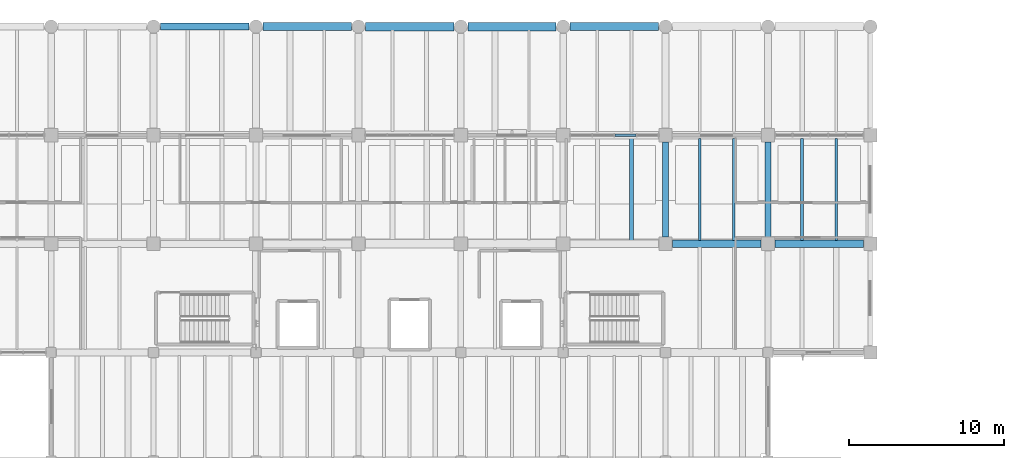
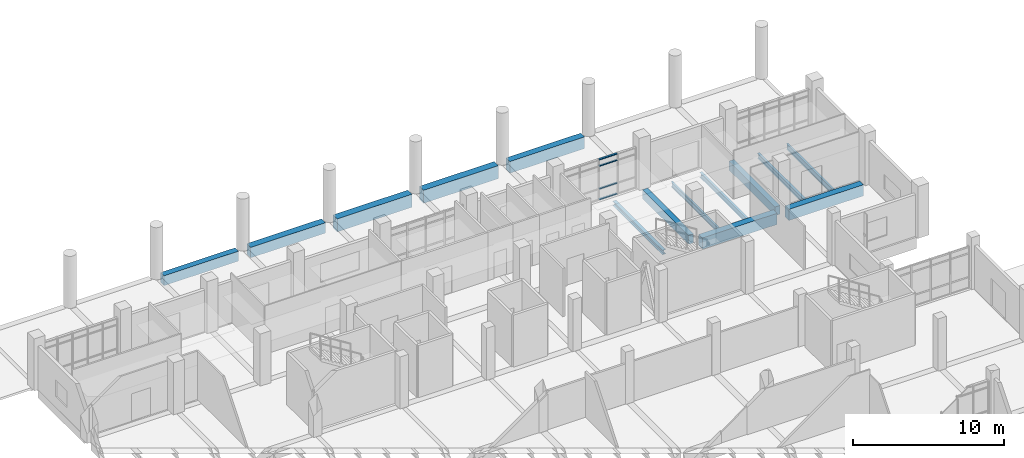
# One storey, part 30 of 69: 14 beams, 4 members, 1 element without a shape of its own.
"""IFC4 building model written with IfcOpenShell, lengths in metres."""

from ifc_helpers import new_model, si_unit, direction, frame, origin, origin_2d, place, context, subcontext, project, spatial, rectangle, i_section, extrude, material, material_profile, profile_set, type_object, element, aggregate, save


model = new_model("IFC4")

# Units and contexts
model_context = context("Model", 3, precision=1e-05, world=origin(), true_north=direction((0.0, 1.0)))
body_context = subcontext(model_context, "Body", "Model", "MODEL_VIEW")
ifc_project = project(units=[si_unit("LENGTHUNIT", "METRE"), si_unit("AREAUNIT", "SQUARE_METRE"), si_unit("VOLUMEUNIT", "CUBIC_METRE"), si_unit("PLANEANGLEUNIT", "RADIAN"), si_unit("MASSUNIT", "GRAM", prefix="KILO")], contexts=[model_context])

# Site, building, storey
site_placement = place(None, origin())
site = spatial("IfcSite", under=ifc_project, at=site_placement, CompositionType="ELEMENT")
building_placement = place(site_placement, origin())
building = spatial("IfcBuilding", under=site, at=building_placement, Name="Ciguamira Faculty of Natural Sciences", CompositionType="ELEMENT")
storey_placement = place(building_placement, origin())
storey = spatial("IfcBuildingStorey", under=building, at=storey_placement, Name="L00", CompositionType="ELEMENT", Elevation=0.0)

# Curtain wall, members
ifc_material_1 = material(Name="Anodized aluminium curtain wall", Category="aluminium")
curtain_wall_type = type_object("IfcCurtainWallType", Name="CurtainWall_CW-08", PredefinedType="USERDEFINED", material=ifc_material_1)
curtain_wall_placement = place(storey_placement, origin())
curtain_wall = element("IfcCurtainWall", 1, at=curtain_wall_placement, inside=storey, type_object=curtain_wall_type, Name="L00 unitised curtain wall 0020", ObjectType="UNITISED CURTAIN WALL", PredefinedType="USERDEFINED")
ifc_material_2 = material(Name="Anodized aluminium transom", Category="aluminium")
ifc_material_profile_1 = material_profile(ifc_material_2, rectangle(XDim=0.070068359375, YDim=0.139892578125, at=origin_2d()), Name="ALU-TRN-70X140")
ifc_profile_set_1 = profile_set([ifc_material_profile_1], Name="Anodized aluminium transom")
member_type = type_object("IfcMemberType", Name="CWTransom_CWT-02", PredefinedType="USERDEFINED", material=ifc_profile_set_1)
member_1_placement = place(storey_placement, frame((100.235107421875, 108.0, 0.034912109375), z_axis=(1.0, 0.0, 0.0), x_axis=(0.0, 0.0, 1.0)))
member_1 = element("IfcMember", 2, at=member_1_placement, type_object=member_type, Name="CW-08 transom 3.1", ObjectType="TRANSOM", PredefinedType="USERDEFINED", context=body_context, shape_type="SweptSolid", body=[
    extrude(rectangle(XDim=0.070068359375, YDim=0.139892578125, at=origin_2d()), origin(), (0.0, 0.0, 1.0), 1.367431640625),
])
member_2_placement = place(storey_placement, frame((100.235107421875, 108.0, 0.89990234375), z_axis=(1.0, 0.0, 0.0), x_axis=(0.0, 0.0, 1.0)))
member_2 = element("IfcMember", 3, at=member_2_placement, type_object=member_type, Name="CW-08 transom 3.2", ObjectType="TRANSOM", PredefinedType="USERDEFINED", context=body_context, shape_type="SweptSolid", body=[
    extrude(rectangle(XDim=0.070068359375, YDim=0.139892578125, at=origin_2d()), origin(), (0.0, 0.0, 1.0), 1.367431640625),
])
member_3_placement = place(storey_placement, frame((100.235107421875, 108.0, 2.735107421875), z_axis=(1.0, 0.0, 0.0), x_axis=(0.0, 0.0, 1.0)))
member_3 = element("IfcMember", 4, at=member_3_placement, type_object=member_type, Name="CW-08 transom 3.3", ObjectType="TRANSOM", PredefinedType="USERDEFINED", context=body_context, shape_type="SweptSolid", body=[
    extrude(rectangle(XDim=0.070068359375, YDim=0.139892578125, at=origin_2d()), origin(), (0.0, 0.0, 1.0), 1.367431640625),
])
member_4_placement = place(storey_placement, frame((100.235107421875, 108.0, 3.25), z_axis=(1.0, 0.0, 0.0), x_axis=(0.0, 0.0, 1.0)))
member_4 = element("IfcMember", 5, at=member_4_placement, type_object=member_type, Name="CW-08 transom 3.4", ObjectType="TRANSOM", PredefinedType="USERDEFINED", context=body_context, shape_type="SweptSolid", body=[
    extrude(rectangle(XDim=0.070068359375, YDim=0.139892578125, at=origin_2d()), origin(), (0.0, 0.0, 1.0), 1.367431640625),
])
aggregate(curtain_wall, [member_1, member_2, member_3, member_4])

# Beams
ifc_material_3 = material(Name="Concrete C40/50", Category="concrete")
ifc_material_profile_2 = material_profile(ifc_material_3, rectangle(XDim=0.550048828125, YDim=1.050048828125, at=origin_2d()), Name="RC-BM-550X1050")
ifc_profile_set_2 = profile_set([ifc_material_profile_2], Name="Concrete C40/50")
beam_type_1 = type_object("IfcBeamType", Name="RCBeam_BG-01_RC-BM-550X1050", PredefinedType="BEAM", material=ifc_profile_set_2)
beam_1_placement = place(storey_placement, frame((84.14990234375, 115.0, -0.52490234375), z_axis=(1.0, 0.0, 0.0), x_axis=(0.0, 1.0, 0.0)))
element("IfcBeam", 6, at=beam_1_placement, inside=storey, type_object=beam_type_1, Name="L00 RC girder EW-0187", PredefinedType="BEAM", context=body_context, shape_type="SweptSolid", body=[
    extrude(rectangle(XDim=0.550048828125, YDim=1.050048828125, at=origin_2d()), origin(), (0.0, 0.0, 1.0), 5.7001953125),
])
beam_2_placement = place(storey_placement, frame((90.75, 115.0, -0.52490234375), z_axis=(1.0, 0.0, 0.0), x_axis=(0.0, 1.0, 0.0)))
element("IfcBeam", 7, at=beam_2_placement, inside=storey, type_object=beam_type_1, Name="L00 RC girder EW-0188", PredefinedType="BEAM", context=body_context, shape_type="SweptSolid", body=[
    extrude(rectangle(XDim=0.550048828125, YDim=1.050048828125, at=origin_2d()), origin(), (0.0, 0.0, 1.0), 5.699951171875),
])
ifc_material_profile_3 = material_profile(ifc_material_3, rectangle(XDim=0.5, YDim=0.949951171875, at=origin_2d()), Name="RC-BM-500X950")
ifc_profile_set_3 = profile_set([ifc_material_profile_3], Name="Concrete C40/50")
beam_type_2 = type_object("IfcBeamType", Name="RCBeam_BG-02_RC-BM-500X950", PredefinedType="BEAM", material=ifc_profile_set_3)
beam_3_placement = place(storey_placement, frame((97.35009765625, 115.0, -0.47509765625), z_axis=(1.0, 0.0, 0.0), x_axis=(0.0, 1.0, 0.0)))
element("IfcBeam", 8, at=beam_3_placement, inside=storey, type_object=beam_type_2, Name="L00 RC girder EW-0189", PredefinedType="BEAM", context=body_context, shape_type="SweptSolid", body=[
    extrude(rectangle(XDim=0.5, YDim=0.949951171875, at=origin_2d()), origin(), (0.0, 0.0, 1.0), 5.699951171875),
])
ifc_material_profile_4 = material_profile(ifc_material_3, rectangle(XDim=0.5, YDim=0.89990234375, at=origin_2d()), Name="RC-BM-500X900")
ifc_profile_set_4 = profile_set([ifc_material_profile_4], Name="Concrete C40/50")
beam_type_3 = type_object("IfcBeamType", Name="RCBeam_BG-03_RC-BM-500X900", PredefinedType="BEAM", material=ifc_profile_set_4)
for number, where, z_axis, x_axis, name in (
    (9, (103.949951171875, 101.0, -0.449951171875), (1.0, 0.0, 0.0), (0.0, 1.0, 0.0), "L00 RC girder EW-0172"),
    (10, (110.550048828125, 101.0, -0.449951171875), (1.0, 0.0, 0.0), (0.0, 1.0, 0.0), "L00 RC girder EW-0173"),
):
    element("IfcBeam", number, at=place(storey_placement, frame(where, z_axis=z_axis, x_axis=x_axis)), inside=storey, type_object=beam_type_3, Name=name, PredefinedType="BEAM", context=body_context, shape_type="SweptSolid", body=[
        extrude(rectangle(XDim=0.5, YDim=0.89990234375, at=origin_2d()), origin(), (0.0, 0.0, 1.0), 5.699951171875),
    ])
ifc_material_profile_5 = material_profile(ifc_material_3, rectangle(XDim=0.449951171875, YDim=0.800048828125, at=origin_2d()), Name="RC-BM-450X800")
ifc_profile_set_5 = profile_set([ifc_material_profile_5], Name="Concrete C40/50")
beam_type_4 = type_object("IfcBeamType", Name="RCBeam_BG-05_RC-BM-450X800", PredefinedType="BEAM", material=ifc_profile_set_5)
beam_4_placement = place(storey_placement, frame((70.949951171875, 115.0, -0.39990234375), z_axis=(1.0, 0.0, 0.0), x_axis=(0.0, 1.0, 0.0)))
element("IfcBeam", 11, at=beam_4_placement, inside=storey, type_object=beam_type_4, Name="L00 RC girder EW-0185", PredefinedType="BEAM", context=body_context, shape_type="SweptSolid", body=[
    extrude(rectangle(XDim=0.449951171875, YDim=0.800048828125, at=origin_2d()), origin(), (0.0, 0.0, 1.0), 5.699951171875),
])
ifc_material_profile_6 = material_profile(ifc_material_3, rectangle(XDim=0.39990234375, YDim=0.699951171875, at=origin_2d()), Name="RC-BM-400X700")
ifc_profile_set_6 = profile_set([ifc_material_profile_6], Name="Concrete C40/50")
beam_type_5 = type_object("IfcBeamType", Name="RCBeam_BG-08_RC-BM-400X700", PredefinedType="BEAM", material=ifc_profile_set_6)
for number, where, z_axis, x_axis, name in (
    (12, (103.5, 101.449951171875, -0.35009765625), (0.0, 1.0, 0.0), (-1.0, 0.0, 0.0), "L00 girder NS-0309"),
    (13, (110.10009765625, 101.449951171875, -0.35009765625), (0.0, 1.0, 0.0), (-1.0, 0.0, 0.0), "L00 girder NS-0323"),
):
    element("IfcBeam", number, at=place(storey_placement, frame(where, z_axis=z_axis, x_axis=x_axis)), inside=storey, type_object=beam_type_5, Name=name, PredefinedType="BEAM", context=body_context, shape_type="SweptSolid", body=[
        extrude(rectangle(XDim=0.39990234375, YDim=0.699951171875, at=origin_2d()), origin(), (0.0, 0.0, 1.0), 6.10009765625),
    ])
ifc_material_profile_7 = material_profile(ifc_material_3, rectangle(XDim=0.52001953125, YDim=0.840087890625, at=origin_2d()), Name="RC-TB-520X840")
ifc_profile_set_7 = profile_set([ifc_material_profile_7], Name="Concrete C40/50")
beam_type_6 = type_object("IfcBeamType", Name="RCBeam_TB-02_RC-TB-520X840", PredefinedType="T_BEAM", material=ifc_profile_set_7)
beam_5_placement = place(storey_placement, frame((77.550048828125, 115.0, -0.419921875), z_axis=(1.0, 0.0, 0.0), x_axis=(0.0, 1.0, 0.0)))
element("IfcBeam", 14, at=beam_5_placement, inside=storey, type_object=beam_type_6, Name="L00 RC girder EW-0186", PredefinedType="T_BEAM", context=body_context, shape_type="SweptSolid", body=[
    extrude(rectangle(XDim=0.52001953125, YDim=0.840087890625, at=origin_2d()), origin(), (0.0, 0.0, 1.0), 5.699951171875),
])
ifc_material_4 = material(Name="Steel ASTM A992 Grade 50", Category="steel")
ifc_material_profile_8 = material_profile(ifc_material_4, i_section(OverallWidth=0.256591796875, OverallDepth=0.36328125, WebThickness=0.012939453125, FlangeThickness=0.021728515625, at=origin_2d()), Name="W14X82")
ifc_profile_set_8 = profile_set([ifc_material_profile_8], Name="Steel ASTM A992 Grade 50")
beam_type_7 = type_object("IfcBeamType", Name="SteelJoist_SJ-15_W14X82", PredefinedType="JOIST", material=ifc_profile_set_8)
beam_6_placement = place(storey_placement, frame((101.300048828125, 101.2099609375, -0.481689453125), z_axis=(0.0, 1.0, 0.0), x_axis=(-1.0, 0.0, 0.0)))
element("IfcBeam", 15, at=beam_6_placement, inside=storey, type_object=beam_type_7, Name="L00 composite steel joist 00245", PredefinedType="JOIST", context=body_context, shape_type="SweptSolid", body=[
    extrude(i_section(OverallWidth=0.256591796875, OverallDepth=0.36328125, WebThickness=0.012939453125, FlangeThickness=0.021728515625, at=origin_2d()), origin(), (0.0, 0.0, 1.0), 6.580078125),
])
ifc_material_profile_9 = material_profile(ifc_material_4, i_section(OverallWidth=0.140380859375, OverallDepth=0.40380859375, WebThickness=0.007080078125, FlangeThickness=0.01123046875, at=origin_2d()), Name="W16X31")
ifc_profile_set_9 = profile_set([ifc_material_profile_9], Name="Steel ASTM A992 Grade 50")
beam_type_8 = type_object("IfcBeamType", Name="SteelJoist_SJ-17_W16X31", PredefinedType="JOIST", material=ifc_profile_set_9)
beam_7_placement = place(storey_placement, frame((105.699951171875, 101.2099609375, -0.501953125), z_axis=(0.0, 1.0, 0.0), x_axis=(-1.0, 0.0, 0.0)))
element("IfcBeam", 16, at=beam_7_placement, inside=storey, type_object=beam_type_8, Name="L00 composite steel joist 00271", PredefinedType="JOIST", context=body_context, shape_type="SweptSolid", body=[
    extrude(i_section(OverallWidth=0.140380859375, OverallDepth=0.40380859375, WebThickness=0.007080078125, FlangeThickness=0.01123046875, at=origin_2d()), origin(), (0.0, 0.0, 1.0), 6.580078125),
])
ifc_material_profile_10 = material_profile(ifc_material_4, i_section(OverallWidth=0.177490234375, OverallDepth=0.40380859375, WebThickness=0.007568359375, FlangeThickness=0.010986328125, at=origin_2d()), Name="W16X36")
ifc_profile_set_10 = profile_set([ifc_material_profile_10], Name="Steel ASTM A992 Grade 50")
beam_type_9 = type_object("IfcBeamType", Name="SteelJoist_SJ-18_W16X36", PredefinedType="JOIST", material=ifc_profile_set_10)
beam_8_placement = place(storey_placement, frame((107.89990234375, 101.2099609375, -0.501953125), z_axis=(0.0, 1.0, 0.0), x_axis=(-1.0, 0.0, 0.0)))
element("IfcBeam", 17, at=beam_8_placement, inside=storey, type_object=beam_type_9, Name="L00 composite steel joist 00272", PredefinedType="JOIST", context=body_context, shape_type="SweptSolid", body=[
    extrude(i_section(OverallWidth=0.177490234375, OverallDepth=0.40380859375, WebThickness=0.007568359375, FlangeThickness=0.010986328125, at=origin_2d()), origin(), (0.0, 0.0, 1.0), 6.580078125),
])
ifc_material_profile_11 = material_profile(ifc_material_4, i_section(OverallWidth=0.180908203125, OverallDepth=0.41650390625, WebThickness=0.010986328125, FlangeThickness=0.01806640625, at=origin_2d()), Name="W16X57")
ifc_profile_set_11 = profile_set([ifc_material_profile_11], Name="Steel ASTM A992 Grade 50")
beam_type_10 = type_object("IfcBeamType", Name="SteelJoist_SJ-20_W16X57", PredefinedType="JOIST", material=ifc_profile_set_11)
beam_9_placement = place(storey_placement, frame((112.300048828125, 101.2099609375, -0.50830078125), z_axis=(0.0, 1.0, 0.0), x_axis=(-1.0, 0.0, 0.0)))
element("IfcBeam", 18, at=beam_9_placement, inside=storey, type_object=beam_type_10, Name="L00 composite steel joist 00301", PredefinedType="JOIST", context=body_context, shape_type="SweptSolid", body=[
    extrude(i_section(OverallWidth=0.180908203125, OverallDepth=0.41650390625, WebThickness=0.010986328125, FlangeThickness=0.01806640625, at=origin_2d()), origin(), (0.0, 0.0, 1.0), 6.580078125),
])
ifc_material_profile_12 = material_profile(ifc_material_4, i_section(OverallWidth=0.15234375, OverallDepth=0.449462890625, WebThickness=0.007568359375, FlangeThickness=0.0107421875, at=origin_2d()), Name="W18X35")
ifc_profile_set_12 = profile_set([ifc_material_profile_12], Name="Steel ASTM A992 Grade 50")
beam_type_11 = type_object("IfcBeamType", Name="SteelJoist_SJ-21_W18X35", PredefinedType="JOIST", material=ifc_profile_set_12)
beam_10_placement = place(storey_placement, frame((114.5, 101.2099609375, -0.52490234375), z_axis=(0.0, 1.0, 0.0), x_axis=(-1.0, 0.0, 0.0)))
element("IfcBeam", 19, at=beam_10_placement, inside=storey, type_object=beam_type_11, Name="L00 composite steel joist 00302", PredefinedType="JOIST", context=body_context, shape_type="SweptSolid", body=[
    extrude(i_section(OverallWidth=0.15234375, OverallDepth=0.449462890625, WebThickness=0.007568359375, FlangeThickness=0.0107421875, at=origin_2d()), origin(), (0.0, 0.0, 1.0), 6.580078125),
])

save(model, "model.ifc")
